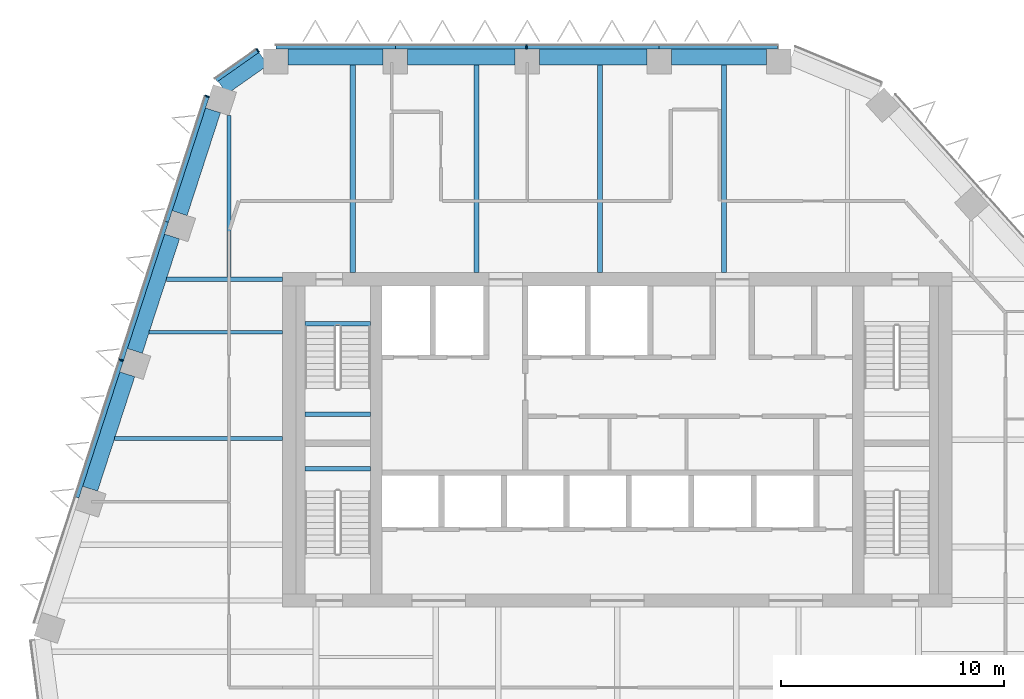
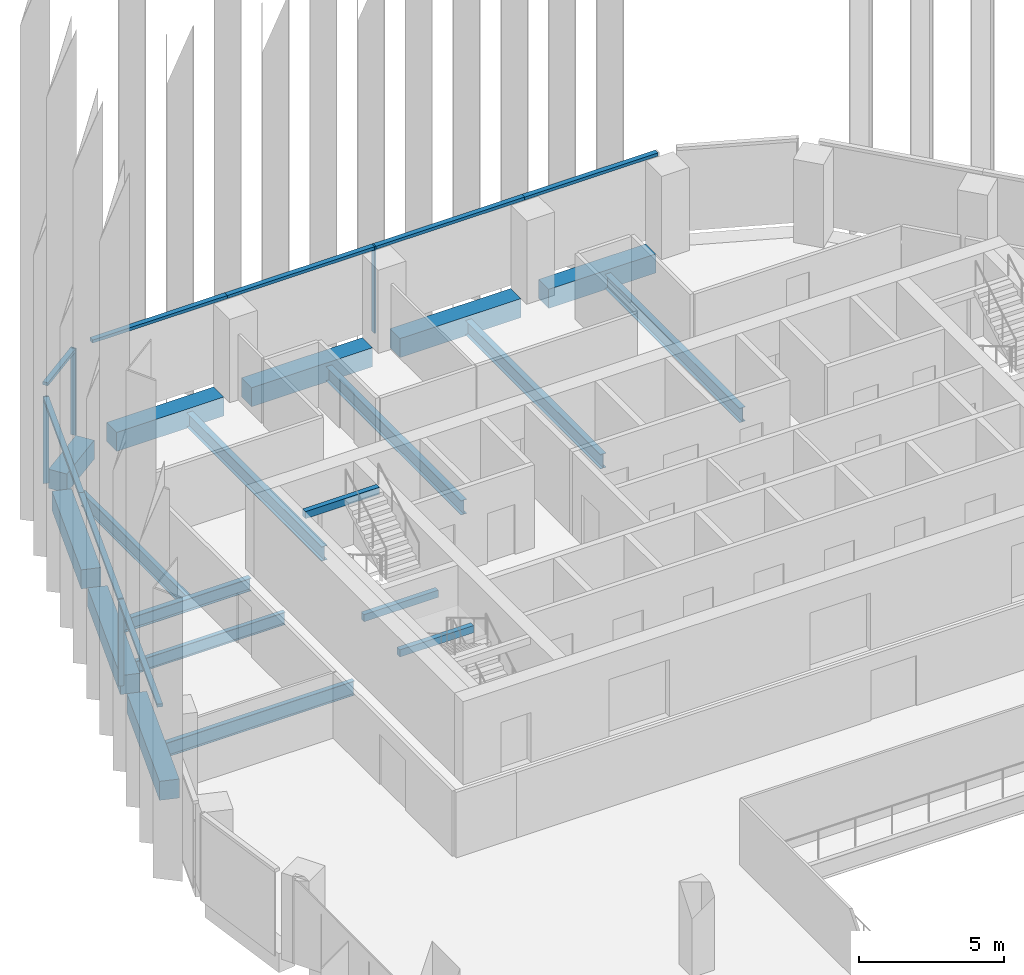
# One storey, part 6 of 18: 19 beams, 12 members, 3 elements without a shape of their own.
"""IFC4 building model written with IfcOpenShell, lengths in metres."""

from ifc_helpers import new_model, si_unit, direction, frame, origin, origin_2d, place, context, subcontext, project, spatial, rectangle, i_section, extrude, material, layer, layer_set, material_profile, profile_set, type_object, element, aggregate, save


model = new_model("IFC4")

# Units and contexts
model_context = context("Model", 3, precision=1e-05, world=origin(), true_north=direction((0.0, 1.0)))
body_context = subcontext(model_context, "Body", "Model", "MODEL_VIEW")
ifc_project = project(units=[si_unit("LENGTHUNIT", "METRE"), si_unit("AREAUNIT", "SQUARE_METRE"), si_unit("VOLUMEUNIT", "CUBIC_METRE"), si_unit("PLANEANGLEUNIT", "RADIAN"), si_unit("MASSUNIT", "GRAM", prefix="KILO")], contexts=[model_context])

# Site, building, storey
site_placement = place(None, origin())
site = spatial("IfcSite", under=ifc_project, at=site_placement, CompositionType="ELEMENT")
building_placement = place(site_placement, origin())
building = spatial("IfcBuilding", under=site, at=building_placement, Name="Isthmus Gate Tower", CompositionType="ELEMENT")
storey_placement = place(building_placement, frame((0.0, 0.0, 238.199951171875)))
storey = spatial("IfcBuildingStorey", under=building, at=storey_placement, Name="L60", CompositionType="ELEMENT", Elevation=238.199951171875)

# Curtain wall, member
ifc_material_1 = material(Name="Aluminium, pale champagne anodised", Category="aluminium")
ifc_layer = layer(ifc_material_1, 0.199951171875)
ifc_layer_set = layer_set([ifc_layer], Name="CW-1 UNITISED CURTAIN WALL 200 DEEP")
curtain_wall_type = type_object("IfcCurtainWallType", Name="CW-1 UNITISED CURTAIN WALL 200 DEEP", PredefinedType="NOTDEFINED", material=ifc_layer_set)
curtain_wall_1_placement = place(storey_placement, origin())
curtain_wall_1 = element("IfcCurtainWall", 1, at=curtain_wall_1_placement, inside=storey, type_object=curtain_wall_type, Name="CW-1 N L60", PredefinedType="NOTDEFINED")
ifc_material_2 = material(Name="Aluminium, pale champagne anodised", Category="aluminium")
ifc_material_profile_1 = material_profile(ifc_material_2, rectangle(XDim=0.06005859375, YDim=0.199951171875, at=origin_2d()), Name="60x200")
ifc_profile_set_1 = profile_set([ifc_material_profile_1], Name="Aluminium, pale champagne anodised")
member_type_1 = type_object("IfcMemberType", Name="CW-1 MULLION 60 X 200", PredefinedType="MULLION", material=ifc_profile_set_1)
member_1_placement = place(storey_placement, frame((-4.06005859375, 25.10009765625, 0.0), z_axis=(0.0, 0.0, 1.0), x_axis=(-1.0, 0.0, 0.0)))
member_1 = element("IfcMember", 2, at=member_1_placement, type_object=member_type_1, Name="CW-1 mullion", PredefinedType="MULLION", context=body_context, shape_type="SweptSolid", body=[
    extrude(rectangle(XDim=0.06005859375, YDim=0.199951171875, at=origin_2d()), origin(), (0.0, 0.0, 1.0), 3.650146484375),
])

curtain_wall_2_placement = place(storey_placement, origin())
curtain_wall_2 = element("IfcCurtainWall", 3, at=curtain_wall_2_placement, inside=storey, type_object=curtain_wall_type, Name="CW-1 N-NW L60", PredefinedType="NOTDEFINED")
member_2_placement = place(storey_placement, frame((-16.10595703125, 24.943115234375, 0.0), z_axis=(0.0, 0.0, 1.0), x_axis=(-0.81785959165, -0.57541783805, 0.0)))
member_2 = element("IfcMember", 4, at=member_2_placement, type_object=member_type_1, Name="CW-1 mullion", PredefinedType="MULLION", context=body_context, shape_type="SweptSolid", body=[
    extrude(rectangle(XDim=0.06005859375, YDim=0.199951171875, at=origin_2d()), origin(), (0.0, 0.0, 1.0), 3.650146484375),
])

# Curtain wall, members
curtain_wall_3_placement = place(storey_placement, origin())
curtain_wall_3 = element("IfcCurtainWall", 5, at=curtain_wall_3_placement, inside=storey, type_object=curtain_wall_type, Name="CW-1 NW L60", PredefinedType="NOTDEFINED")
member_3_placement = place(storey_placement, frame((-18.37841796875, 22.894287109375, 0.0), z_axis=(0.0, 0.0, 1.0), x_axis=(-0.309016994375, -0.951056516295, 0.0)))
member_3 = element("IfcMember", 6, at=member_3_placement, type_object=member_type_1, Name="CW-1 mullion", PredefinedType="MULLION", context=body_context, shape_type="SweptSolid", body=[
    extrude(rectangle(XDim=0.06005859375, YDim=0.199951171875, at=origin_2d()), origin(), (0.0, 0.0, 1.0), 3.650146484375),
])
member_4_placement = place(storey_placement, frame((-22.220703125, 11.069091796875, 0.0), z_axis=(0.0, 0.0, 1.0), x_axis=(-0.309016994375, -0.951056516295, 0.0)))
member_4 = element("IfcMember", 7, at=member_4_placement, type_object=member_type_1, Name="CW-1 mullion", PredefinedType="MULLION", context=body_context, shape_type="SweptSolid", body=[
    extrude(rectangle(XDim=0.06005859375, YDim=0.199951171875, at=origin_2d()), origin(), (0.0, 0.0, 1.0), 3.650146484375),
])

# Member
ifc_material_3 = material(Name="Aluminium, pale champagne anodised", Category="aluminium")
ifc_material_profile_2 = material_profile(ifc_material_3, rectangle(XDim=0.199951171875, YDim=0.1298828125, at=origin_2d()), Name="200x130")
ifc_profile_set_2 = profile_set([ifc_material_profile_2], Name="Aluminium, pale champagne anodised")
member_type_2 = type_object("IfcMemberType", Name="CW-1 TRANSOM 200 X 130", PredefinedType="USERDEFINED", material=ifc_profile_set_2)
member_5_placement = place(storey_placement, frame((7.18115234375, 25.10009765625, 3.5849609375), z_axis=(-1.0, 0.0, 0.0), x_axis=(0.0, -1.0, 0.0)))
member_5 = element("IfcMember", 8, at=member_5_placement, type_object=member_type_2, Name="CW-1 transom", ObjectType="TRANSOM", PredefinedType="USERDEFINED", context=body_context, shape_type="SweptSolid", body=[
    extrude(rectangle(XDim=0.199951171875, YDim=0.1298828125, at=origin_2d()), origin(), (0.0, 0.0, 1.0), 5.300537109375),
])

member_6_placement = place(storey_placement, frame((1.880615234375, 25.10009765625, 3.5849609375), z_axis=(-1.0, 0.0, 0.0), x_axis=(0.0, -1.0, 0.0)))
member_6 = element("IfcMember", 9, at=member_6_placement, type_object=member_type_2, Name="CW-1 transom", ObjectType="TRANSOM", PredefinedType="USERDEFINED", context=body_context, shape_type="SweptSolid", body=[
    extrude(rectangle(XDim=0.199951171875, YDim=0.1298828125, at=origin_2d()), origin(), (0.0, 0.0, 1.0), 5.91064453125),
])

member_7_placement = place(storey_placement, frame((-4.090087890625, 25.10009765625, 3.5849609375), z_axis=(-1.0, 0.0, 0.0), x_axis=(0.0, -1.0, 0.0)))
member_7 = element("IfcMember", 10, at=member_7_placement, type_object=member_type_2, Name="CW-1 transom", ObjectType="TRANSOM", PredefinedType="USERDEFINED", context=body_context, shape_type="SweptSolid", body=[
    extrude(rectangle(XDim=0.199951171875, YDim=0.1298828125, at=origin_2d()), origin(), (0.0, 0.0, 1.0), 5.8505859375),
])

member_8_placement = place(storey_placement, frame((-9.940673828125, 25.10009765625, 3.5849609375), z_axis=(-1.0, 0.0, 0.0), x_axis=(0.0, -1.0, 0.0)))
member_8 = element("IfcMember", 11, at=member_8_placement, type_object=member_type_2, Name="CW-1 transom", ObjectType="TRANSOM", PredefinedType="USERDEFINED", context=body_context, shape_type="SweptSolid", body=[
    extrude(rectangle(XDim=0.199951171875, YDim=0.1298828125, at=origin_2d()), origin(), (0.0, 0.0, 1.0), 5.360595703125),
])

aggregate(curtain_wall_1, [member_5, member_6, member_1, member_7, member_8])

member_9_placement = place(storey_placement, frame((-16.130615234375, 24.92578125, 3.5849609375), z_axis=(-0.817868595604, -0.575405040233, 0.0), x_axis=(0.575405040233, -0.817868595604, 0.0)))
member_9 = element("IfcMember", 12, at=member_9_placement, type_object=member_type_2, Name="CW-1 transom", ObjectType="TRANSOM", PredefinedType="USERDEFINED", context=body_context, shape_type="SweptSolid", body=[
    extrude(rectangle(XDim=0.199951171875, YDim=0.1298828125, at=origin_2d()), origin(), (0.0, 0.0, 1.0), 2.258544921875),
])

aggregate(curtain_wall_2, [member_2, member_9])

member_10_placement = place(storey_placement, frame((-18.3876953125, 22.86572265625, 3.5849609375), z_axis=(-0.309021311898, -0.951055113436, 0.0), x_axis=(0.951055113436, -0.309021311898, 0.0)))
member_10 = element("IfcMember", 13, at=member_10_placement, type_object=member_type_2, Name="CW-1 transom", ObjectType="TRANSOM", PredefinedType="USERDEFINED", context=body_context, shape_type="SweptSolid", body=[
    extrude(rectangle(XDim=0.199951171875, YDim=0.1298828125, at=origin_2d()), origin(), (0.0, 0.0, 1.0), 5.8818359375),
])

member_11_placement = place(storey_placement, frame((-20.205322265625, 17.271728515625, 3.5849609375), z_axis=(-0.309020593362, -0.951055346906, 0.0), x_axis=(0.951055346906, -0.309020593362, 0.0)))
member_11 = element("IfcMember", 14, at=member_11_placement, type_object=member_type_2, Name="CW-1 transom", ObjectType="TRANSOM", PredefinedType="USERDEFINED", context=body_context, shape_type="SweptSolid", body=[
    extrude(rectangle(XDim=0.199951171875, YDim=0.1298828125, at=origin_2d()), origin(), (0.0, 0.0, 1.0), 6.49169921875),
])

member_12_placement = place(storey_placement, frame((-22.22998046875, 11.04052734375, 3.5849609375), z_axis=(-0.309010542947, -0.951058612467, 0.0), x_axis=(0.951058612467, -0.309010542947, 0.0)))
member_12 = element("IfcMember", 15, at=member_12_placement, type_object=member_type_2, Name="CW-1 transom", ObjectType="TRANSOM", PredefinedType="USERDEFINED", context=body_context, shape_type="SweptSolid", body=[
    extrude(rectangle(XDim=0.199951171875, YDim=0.1298828125, at=origin_2d()), origin(), (0.0, 0.0, 1.0), 6.431884765625),
])

aggregate(curtain_wall_3, [member_3, member_10, member_11, member_4, member_12])

# Beams
ifc_material_4 = material(Name="Concrete f'c 50 MPa", Category="concrete")
ifc_material_profile_3 = material_profile(ifc_material_4, rectangle(XDim=0.699951171875, YDim=0.800048828125, at=origin_2d()), Name="RC 700X800")
ifc_profile_set_3 = profile_set([ifc_material_profile_3], Name="Concrete f'c 50 MPa")
beam_type_1 = type_object("IfcBeamType", Name="RC SPANDREL 700 X 800", PredefinedType="SPANDREL", material=ifc_profile_set_3)
for number, where, z_axis, x_axis, name in (
    (16, (-23.61962890625, 5.307373046875, -0.39990234375), (0.309032831924, 0.951051370218, 0.0), (-0.951051370218, 0.309032831924, 0.0), "str-spandrel-L60-22"),
    (17, (-21.613525390625, 11.481689453125, -0.39990234375), (0.309032831924, 0.951051370218, 0.0), (-0.951051370218, 0.309032831924, 0.0), "str-spandrel-L60-23"),
):
    element("IfcBeam", number, at=place(storey_placement, frame(where, z_axis=z_axis, x_axis=x_axis)), inside=storey, type_object=beam_type_1, Name=name, PredefinedType="SPANDREL", context=body_context, shape_type="SweptSolid", body=[
        extrude(rectangle(XDim=0.699951171875, YDim=0.800048828125, at=origin_2d()), origin(), (0.0, 0.0, 1.0), 5.391845703125),
    ])
beam_1_placement = place(storey_placement, frame((-19.607421875, 17.65576171875, -0.39990234375), z_axis=(0.309033626624, 0.951051111989, 0.0), x_axis=(-0.951051111989, 0.309033626624, 0.0)))
element("IfcBeam", 18, at=beam_1_placement, inside=storey, type_object=beam_type_1, Name="str-spandrel-L60-24", PredefinedType="SPANDREL", context=body_context, shape_type="SweptSolid", body=[
    extrude(rectangle(XDim=0.699951171875, YDim=0.800048828125, at=origin_2d()), origin(), (0.0, 0.0, 1.0), 4.842041015625),
])
beam_2_placement = place(storey_placement, frame((-17.68798828125, 23.27978515625, -0.39990234375), z_axis=(0.817855686701, 0.575423388237, 0.0), x_axis=(-0.575423388237, 0.817855686701, 0.0)))
element("IfcBeam", 19, at=beam_2_placement, inside=storey, type_object=beam_type_1, Name="str-spandrel-L60-25", PredefinedType="SPANDREL", context=body_context, shape_type="SweptSolid", body=[
    extrude(rectangle(XDim=0.699951171875, YDim=0.800048828125, at=origin_2d()), origin(), (0.0, 0.0, 1.0), 2.24560546875),
])
beam_3_placement = place(storey_placement, frame((-14.751220703125, 24.64990234375, -0.39990234375), z_axis=(1.0, 0.0, 0.0), x_axis=(0.0, 1.0, 0.0)))
element("IfcBeam", 20, at=beam_3_placement, inside=storey, type_object=beam_type_1, Name="str-spandrel-L60-26", PredefinedType="SPANDREL", context=body_context, shape_type="SweptSolid", body=[
    extrude(rectangle(XDim=0.699951171875, YDim=0.800048828125, at=origin_2d()), origin(), (0.0, 0.0, 1.0), 4.260498046875),
])
for number, where, z_axis, x_axis, name in (
    (21, (-9.390625, 24.64990234375, -0.39990234375), (1.0, 0.0, 0.0), (0.0, 1.0, 0.0), "str-spandrel-L60-27"),
    (22, (-3.47998046875, 24.64990234375, -0.39990234375), (1.0, 0.0, 0.0), (0.0, 1.0, 0.0), "str-spandrel-L60-28"),
):
    element("IfcBeam", number, at=place(storey_placement, frame(where, z_axis=z_axis, x_axis=x_axis)), inside=storey, type_object=beam_type_1, Name=name, PredefinedType="SPANDREL", context=body_context, shape_type="SweptSolid", body=[
        extrude(rectangle(XDim=0.699951171875, YDim=0.800048828125, at=origin_2d()), origin(), (0.0, 0.0, 1.0), 4.810546875),
    ])
beam_4_placement = place(storey_placement, frame((2.430419921875, 24.64990234375, -0.39990234375), z_axis=(1.0, 0.0, 0.0), x_axis=(0.0, 1.0, 0.0)))
element("IfcBeam", 23, at=beam_4_placement, inside=storey, type_object=beam_type_1, Name="str-spandrel-L60-29", PredefinedType="SPANDREL", context=body_context, shape_type="SweptSolid", body=[
    extrude(rectangle(XDim=0.699951171875, YDim=0.800048828125, at=origin_2d()), origin(), (0.0, 0.0, 1.0), 4.2607421875),
])
ifc_material_5 = material(Name="Concrete f'c 40 MPa", Category="concrete")
ifc_material_profile_4 = material_profile(ifc_material_5, rectangle(XDim=0.199951171875, YDim=0.300048828125, at=origin_2d()), Name="STAIR LANDING BEAM RC 200 X 300")
ifc_profile_set_4 = profile_set([ifc_material_profile_4], Name="Concrete f'c 40 MPa")
beam_type_2 = type_object("IfcBeamType", Name="STAIR LANDING BEAM RC 200 X 300", PredefinedType="BEAM", material=ifc_profile_set_4)
for number, where, z_axis, x_axis, name in (
    (24, (-14.0, 8.64990234375, 1.47509765625), (1.0, 0.0, 0.0), (0.0, 1.0, 0.0), "L60 ST1 landing beam 1"),
    (25, (-14.0, 12.7001953125, 3.35009765625), (1.0, 0.0, 0.0), (0.0, 1.0, 0.0), "L60 ST1 floor-edge seat beam"),
    (26, (-14.0, 6.199951171875, 1.47509765625), (1.0, 0.0, 0.0), (0.0, 1.0, 0.0), "L60 ST7 landing beam 1"),
):
    element("IfcBeam", number, at=place(storey_placement, frame(where, z_axis=z_axis, x_axis=x_axis)), inside=storey, type_object=beam_type_2, Name=name, PredefinedType="BEAM", context=body_context, shape_type="SweptSolid", body=[
        extrude(rectangle(XDim=0.199951171875, YDim=0.300048828125, at=origin_2d()), origin(), (0.0, 0.0, 1.0), 2.949951171875),
    ])
ifc_material_6 = material(Name="Structural steel ASTM A992 Gr 50", Category="steel")
ifc_material_profile_5 = material_profile(ifc_material_6, i_section(OverallWidth=0.1650390625, OverallDepth=0.52392578125, WebThickness=0.009521484375, FlangeThickness=0.010986328125, at=origin_2d()), Name="W21X44")
ifc_profile_set_5 = profile_set([ifc_material_profile_5], Name="Structural steel ASTM A992 Gr 50")
beam_type_3 = type_object("IfcBeamType", Name="STEEL FLOOR BEAM W21X44", PredefinedType="JOIST", material=ifc_profile_set_5)
beam_5_placement = place(storey_placement, frame((-20.973388671875, 12.319091796875, -0.411865234375), z_axis=(1.0, 0.0, 0.0), x_axis=(0.0, 1.0, 0.0)))
element("IfcBeam", 27, at=beam_5_placement, inside=storey, type_object=beam_type_3, Name="str-beam-L60-00-02", PredefinedType="JOIST", context=body_context, shape_type="SweptSolid", body=[
    extrude(i_section(OverallWidth=0.1650390625, OverallDepth=0.52392578125, WebThickness=0.009521484375, FlangeThickness=0.010986328125, at=origin_2d()), origin(), (0.0, 0.0, 1.0), 5.973388671875),
])
ifc_material_7 = material(Name="Structural steel ASTM A992 Gr 50", Category="steel")
ifc_material_profile_6 = material_profile(ifc_material_7, i_section(OverallWidth=0.177734375, OverallDepth=0.60009765625, WebThickness=0.009521484375, FlangeThickness=0.0126953125, at=origin_2d()), Name="W24X55")
ifc_profile_set_6 = profile_set([ifc_material_profile_6], Name="Structural steel ASTM A992 Gr 50")
beam_type_4 = type_object("IfcBeamType", Name="STEEL FLOOR BEAM W24X55", PredefinedType="JOIST", material=ifc_profile_set_6)
beam_6_placement = place(storey_placement, frame((-22.520751953125, 7.55712890625, -0.449951171875), z_axis=(1.0, 0.0, 0.0), x_axis=(0.0, 1.0, 0.0)))
element("IfcBeam", 28, at=beam_6_placement, inside=storey, type_object=beam_type_4, Name="str-beam-L60-00-01", PredefinedType="JOIST", context=body_context, shape_type="SweptSolid", body=[
    extrude(i_section(OverallWidth=0.177734375, OverallDepth=0.60009765625, WebThickness=0.009521484375, FlangeThickness=0.0126953125, at=origin_2d()), origin(), (0.0, 0.0, 1.0), 7.520751953125),
])
beam_7_placement = place(storey_placement, frame((-17.394287109375, 14.8046875, -0.449951171875), z_axis=(0.0, 1.0, 0.0), x_axis=(-1.0, 0.0, 0.0)))
element("IfcBeam", 29, at=beam_7_placement, inside=storey, type_object=beam_type_4, Name="str-beam-L60-05-00", PredefinedType="JOIST", context=body_context, shape_type="SweptSolid", body=[
    extrude(i_section(OverallWidth=0.177734375, OverallDepth=0.60009765625, WebThickness=0.009521484375, FlangeThickness=0.0126953125, at=origin_2d()), origin(), (0.0, 0.0, 1.0), 7.235107421875),
])
ifc_material_8 = material(Name="Structural steel ASTM A992 Gr 50", Category="steel")
ifc_material_profile_7 = material_profile(ifc_material_8, i_section(OverallWidth=0.228515625, OverallDepth=0.603271484375, WebThickness=0.010986328125, FlangeThickness=0.014404296875, at=origin_2d()), Name="W24X68")
ifc_profile_set_7 = profile_set([ifc_material_profile_7], Name="Structural steel ASTM A992 Gr 50")
beam_type_5 = type_object("IfcBeamType", Name="STEEL FLOOR BEAM W24X68", PredefinedType="JOIST", material=ifc_profile_set_7)
for number, where, z_axis, x_axis, name in (
    (30, (-11.8515625, 15.0, -0.45166015625), (0.0, 1.0, 0.0), (-1.0, 0.0, 0.0), "str-beam-L60-05-01"),
    (31, (-6.308837890625, 15.0, -0.45166015625), (0.0, 1.0, 0.0), (-1.0, 0.0, 0.0), "str-beam-L60-05-02"),
    (32, (-0.76611328125, 15.0, -0.45166015625), (0.0, 1.0, 0.0), (-1.0, 0.0, 0.0), "str-beam-L60-05-03"),
    (33, (4.776611328125, 15.0, -0.45166015625), (0.0, 1.0, 0.0), (-1.0, 0.0, 0.0), "str-beam-L60-05-04"),
):
    element("IfcBeam", number, at=place(storey_placement, frame(where, z_axis=z_axis, x_axis=x_axis)), inside=storey, type_object=beam_type_5, Name=name, PredefinedType="JOIST", context=body_context, shape_type="SweptSolid", body=[
        extrude(i_section(OverallWidth=0.228515625, OverallDepth=0.603271484375, WebThickness=0.010986328125, FlangeThickness=0.014404296875, at=origin_2d()), origin(), (0.0, 0.0, 1.0), 9.300048828125),
    ])
ifc_material_9 = material(Name="Structural steel ASTM A992 Gr 50", Category="steel")
ifc_material_profile_8 = material_profile(ifc_material_9, i_section(OverallWidth=0.20947265625, OverallDepth=0.533447265625, WebThickness=0.009521484375, FlangeThickness=0.015869140625, at=origin_2d()), Name="W21X62")
ifc_profile_set_8 = profile_set([ifc_material_profile_8], Name="Structural steel ASTM A992 Gr 50")
beam_type_6 = type_object("IfcBeamType", Name="STEEL GIRDER W21X62", PredefinedType="BEAM", material=ifc_profile_set_8)
beam_8_placement = place(storey_placement, frame((-15.0, 14.699951171875, -0.416748046875), z_axis=(-1.0, 0.0, 0.0), x_axis=(0.0, -1.0, 0.0)))
element("IfcBeam", 34, at=beam_8_placement, inside=storey, type_object=beam_type_6, Name="str-girder-L60-11", PredefinedType="BEAM", context=body_context, shape_type="SweptSolid", body=[
    extrude(i_section(OverallWidth=0.20947265625, OverallDepth=0.533447265625, WebThickness=0.009521484375, FlangeThickness=0.015869140625, at=origin_2d()), origin(), (0.0, 0.0, 1.0), 5.19970703125),
])

save(model, "model.ifc")
